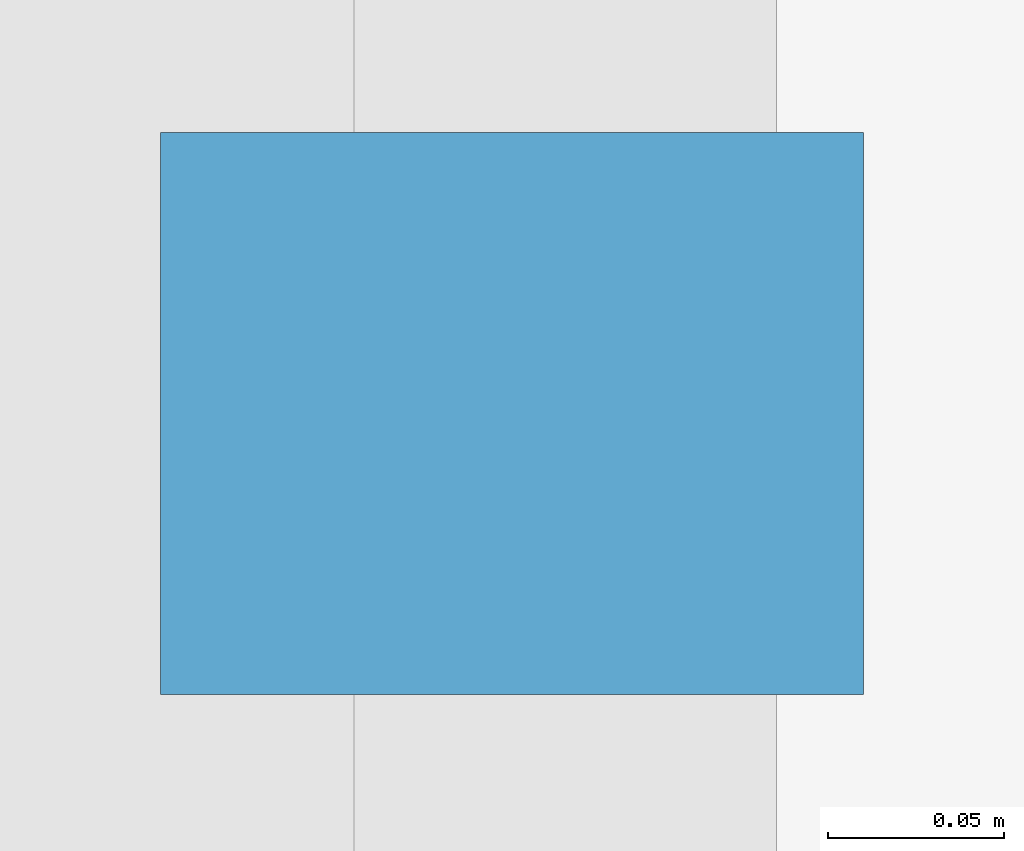
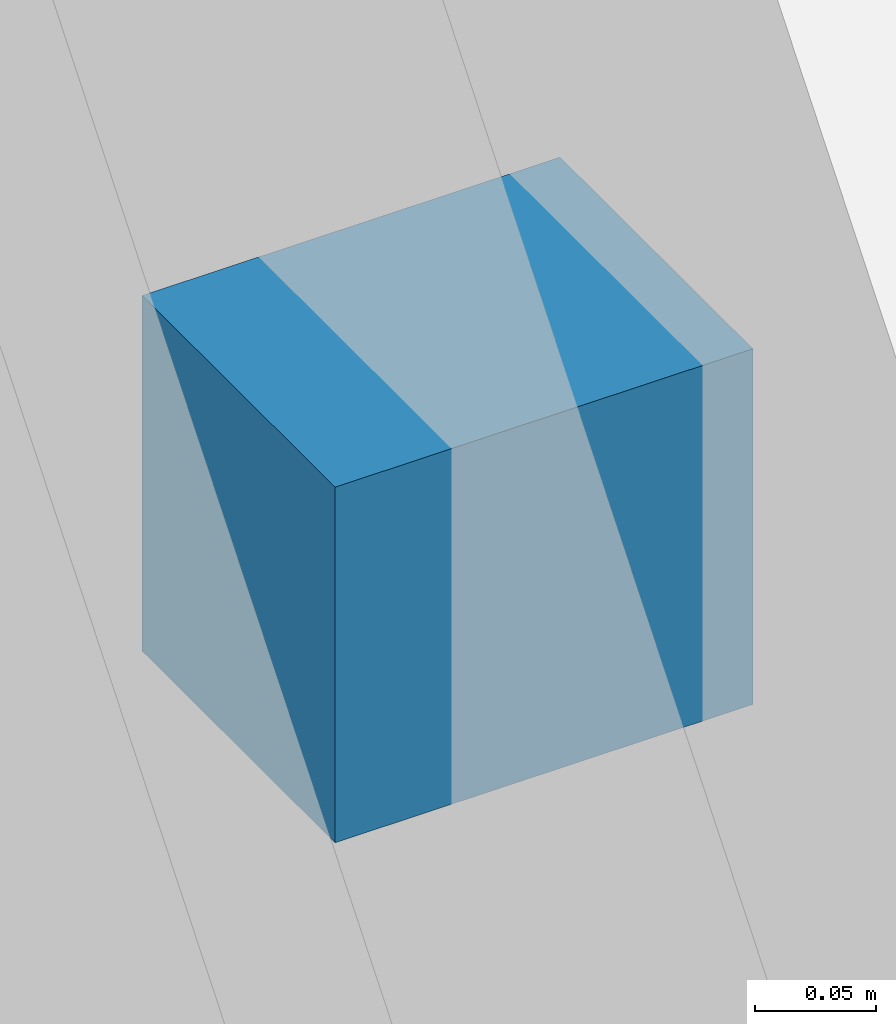
# One storey, part 18 of 22: 1 discrete accessory.
"""IFC4 building model written with IfcOpenShell, lengths in metres."""

from ifc_helpers import new_model, si_unit, direction, frame, origin, origin_2d, place, context, subcontext, project, spatial, rectangle, extrude, material, type_object, element, save


model = new_model("IFC4")

# Units and contexts
model_context = context("Model", 3, precision=1e-05, world=origin(), true_north=direction((0.0, 1.0)))
body_context = subcontext(model_context, "Body", "Model", "MODEL_VIEW")
ifc_project = project(units=[si_unit("LENGTHUNIT", "METRE"), si_unit("AREAUNIT", "SQUARE_METRE"), si_unit("VOLUMEUNIT", "CUBIC_METRE"), si_unit("PLANEANGLEUNIT", "RADIAN"), si_unit("MASSUNIT", "GRAM", prefix="KILO")], contexts=[model_context])

# Site, building, storey
site_placement = place(None, origin())
site = spatial("IfcSite", under=ifc_project, at=site_placement, CompositionType="ELEMENT")
building_placement = place(site_placement, origin())
building = spatial("IfcBuilding", under=site, at=building_placement, Name="Koriwani Terraces Tower", CompositionType="ELEMENT")
storey_placement = place(building_placement, frame((0.0, 0.0, 6.0)))
storey = spatial("IfcBuildingStorey", under=building, at=storey_placement, Name="L01", CompositionType="ELEMENT", Elevation=6.0)

# Discrete accessory
ifc_material = material(Name="Steel ASTM A572 Grade 50", Category="steel")
discrete_accessory_type = type_object("IfcDiscreteAccessoryType", Name="BAGUETTE_STANDOFF_BRACKET", PredefinedType="BRACKET", material=ifc_material)
discrete_accessory_placement = place(storey_placement, frame((0.389892578125, 71.39990234375, 2.13525390625), z_axis=(0.0, 0.0, 1.0), x_axis=(0.0, 1.0, 0.0)))
element("IfcDiscreteAccessory", 1, at=discrete_accessory_placement, inside=storey, type_object=discrete_accessory_type, Name="L01 Terracotta Baguette Bracket (W-24)", PredefinedType="BRACKET", context=body_context, shape_type="SweptSolid", body=[
    extrude(rectangle(XDim=0.159912109375, YDim=0.199951171875, at=origin_2d()), origin(), (0.0, 0.0, 1.0), 0.179931640625),
])

save(model, "model.ifc")
